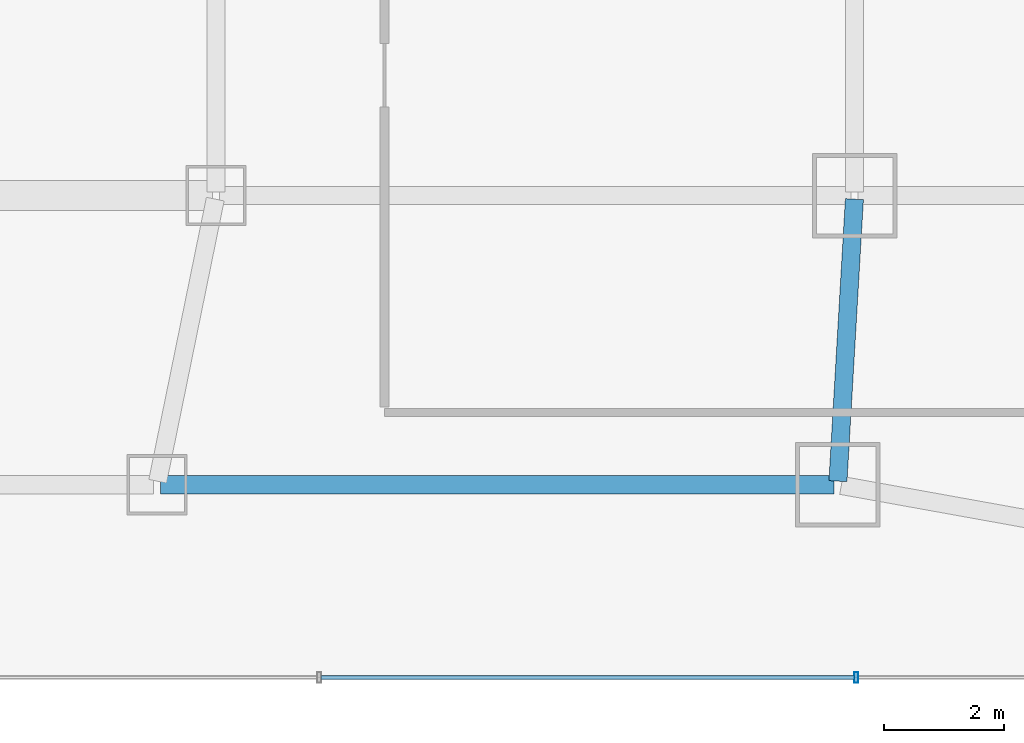
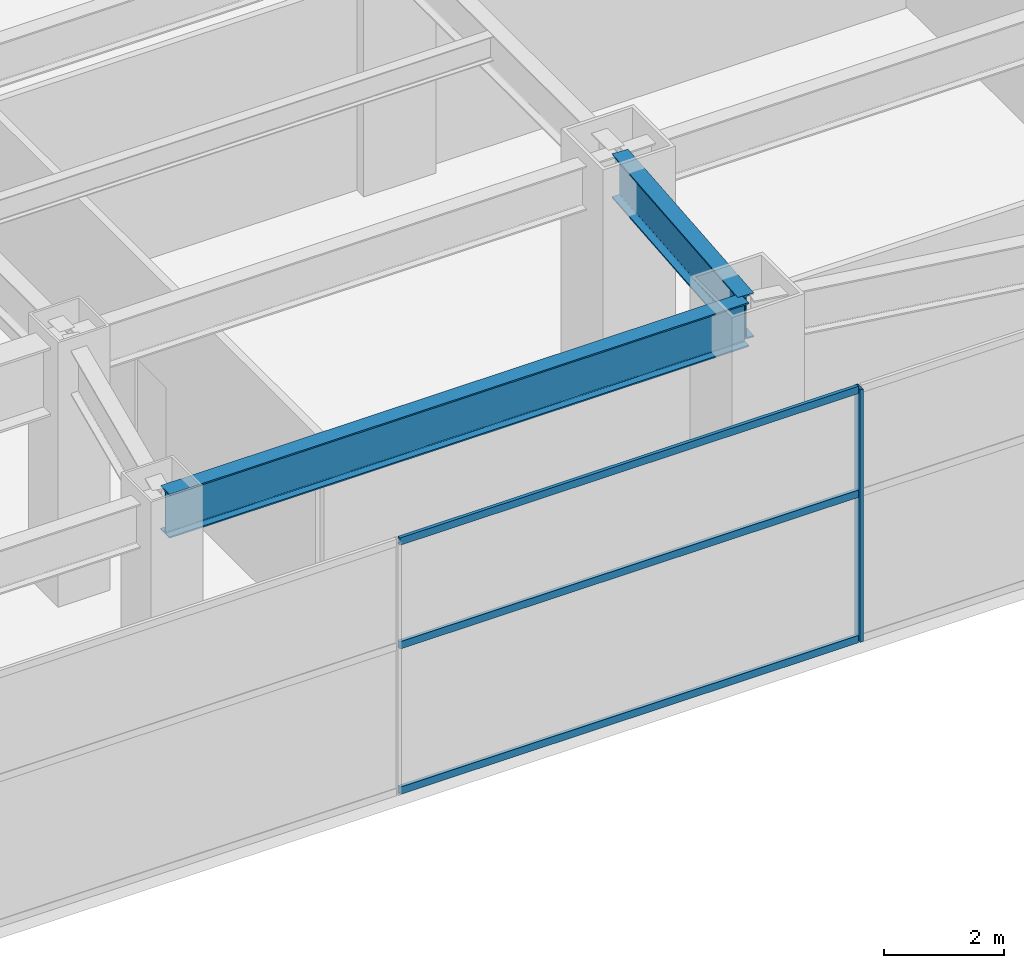
# One storey, part 15 of 53: 4 members, 2 beams, 1 element without a shape of its own.
"""IFC4 building model written with IfcOpenShell, lengths in metres."""

import ifcopenshell
import ifcopenshell.guid

model = None  # the IFC model being written
_history = None  # IfcOwnerHistory: only IFC2X3 demands one
_inside = {}  # id of a spatial element -> (the spatial element, [elements in it])
_under = {}  # id of a project, library or spatial element -> (it, [spatial elements below it])
_declared = {}  # id of a project -> (the project, [libraries it declares])
_typed = {}  # id of a type object -> (the type object, [elements of that type])
_made_of = {}  # id of a material, layer set ... -> (it, [elements and type objects made of it])


def new_model(schema):
    """Start an empty IFC model of exactly this schema.

    Asked for "IFC4X3", IfcOpenShell would pick the latest addendum, in which some entities
    have other attributes; the version numbers below select the first issue.
    IFC2X3 requires an IfcOwnerHistory on every rooted entity: one is made here for all.
    """
    global model, _history
    if schema == "IFC4X3":
        model = ifcopenshell.file(schema_version=(4, 3, 0, 0))
    else:
        model = ifcopenshell.file(schema=schema)
    _inside.clear()
    _under.clear()
    _declared.clear()
    _typed.clear()
    _made_of.clear()
    _history = None
    if model.schema == "IFC2X3":
        org = make("IfcOrganization", Name="unknown")
        user = make(
            "IfcPersonAndOrganization",
            ThePerson=make("IfcPerson", FamilyName="unknown"),
            TheOrganization=org,
        )
        app = make(
            "IfcApplication",
            ApplicationDeveloper=org,
            Version="unknown",
            ApplicationFullName="unknown",
            ApplicationIdentifier="unknown",
        )
        _history = make(
            "IfcOwnerHistory",
            OwningUser=user,
            OwningApplication=app,
            ChangeAction="ADDED",
            CreationDate=0,
        )
    return model


def make(cls, **values):
    """One entity of the class cls with the attributes given. An attribute that is None is left unset."""
    return model.create_entity(
        cls, **{name: value for name, value in values.items() if value is not None}
    )


def rooted(cls, **values):
    """An entity with a GlobalId (a new one), such as an element, a storey or a relation."""
    return make(cls, GlobalId=ifcopenshell.guid.new(), OwnerHistory=_history, **values)


def si_unit(unit_type, name, prefix=None):
    """IfcSIUnit, for example si_unit("LENGTHUNIT", "METRE", prefix="MILLI")."""
    return make("IfcSIUnit", UnitType=unit_type, Prefix=prefix, Name=name)


def assignment(units):
    """IfcUnitAssignment: the units of a project."""
    return None if units is None else make("IfcUnitAssignment", Units=units)


def point(xyz):
    """IfcCartesianPoint."""
    return None if xyz is None else make("IfcCartesianPoint", Coordinates=xyz)


def direction(xyz):
    """IfcDirection."""
    return None if xyz is None else make("IfcDirection", DirectionRatios=xyz)


def frame(location, z_axis=None, x_axis=None):
    """IfcAxis2Placement3D, a coordinate frame: its origin and axes. An axis left out is left unset."""
    return make(
        "IfcAxis2Placement3D",
        Location=point(location),
        Axis=direction(z_axis),
        RefDirection=direction(x_axis),
    )


def frame_2d(location, x_axis=None):
    """IfcAxis2Placement2D, a coordinate frame in the plane: its origin and x axis."""
    return make(
        "IfcAxis2Placement2D", Location=point(location), RefDirection=direction(x_axis)
    )


def origin():
    """The frame at (0, 0, 0) with its axes left unset."""
    return frame((0.0, 0.0, 0.0))


def origin_2d():
    """The frame at (0, 0) in the plane with its x axis left unset."""
    return frame_2d((0.0, 0.0))


def place(relative_to, where):
    """IfcLocalPlacement: puts the frame where relative to a parent placement (None: the world)."""
    return make(
        "IfcLocalPlacement", PlacementRelTo=relative_to, RelativePlacement=where
    )


def context(
    kind, dimensions, precision=None, world=None, true_north=None, identifier=None
):
    """IfcGeometricRepresentationContext, for example the 3D "Model" context."""
    return make(
        "IfcGeometricRepresentationContext",
        ContextIdentifier=identifier,
        ContextType=kind,
        CoordinateSpaceDimension=dimensions,
        Precision=precision,
        WorldCoordinateSystem=world,
        TrueNorth=true_north,
    )


def subcontext(parent, identifier, kind, view, scale=None):
    """IfcGeometricRepresentationSubContext, for example "Body" below "Model"."""
    return make(
        "IfcGeometricRepresentationSubContext",
        ContextIdentifier=identifier,
        ContextType=kind,
        ParentContext=parent,
        TargetScale=scale,
        TargetView=view,
    )


def project(units=None, contexts=None):
    """IfcProject with its units and contexts."""
    return rooted(
        "IfcProject",
        Name="project",
        RepresentationContexts=contexts,
        UnitsInContext=assignment(units),
    )


def spatial(cls, under=None, at=None, **own):
    """A site, building, storey or space (cls), placed at a placement, below another one or the project."""
    s = rooted(cls, ObjectPlacement=at, **own)
    if under is not None:
        _under.setdefault(under.id(), (under, []))[1].append(s)
    return s


def profile(cls, at=None, kind="AREA", **sizes):
    """A parametric profile (cls). Its sizes go by their IFC names, for example OverallWidth=200.0."""
    return make(cls, ProfileType=kind, Position=at, **sizes)


def hollow_rectangle(**sizes):
    """IfcRectangleHollowProfileDef."""
    return profile("IfcRectangleHollowProfileDef", **sizes)


def i_section(**sizes):
    """IfcIShapeProfileDef."""
    return profile("IfcIShapeProfileDef", **sizes)


def extrude(swept, where, along, depth):
    """IfcExtrudedAreaSolid: the profile swept, set in the frame where, extruded along a direction by depth."""
    return make(
        "IfcExtrudedAreaSolid",
        SweptArea=swept,
        Position=where,
        ExtrudedDirection=direction(along),
        Depth=depth,
    )


def shape(context_of_items, identifier, shape_type, items):
    """IfcShapeRepresentation: the items that make up one representation, for example the "Body"."""
    return make(
        "IfcShapeRepresentation",
        ContextOfItems=context_of_items,
        RepresentationIdentifier=identifier,
        RepresentationType=shape_type,
        Items=items,
    )


def material(Name=None, Category=None):
    """IfcMaterial."""
    return make("IfcMaterial", Name=Name, Category=Category)


def material_profile(
    of_material, cross_section, Name=None, Category=None, Priority=None
):
    """IfcMaterialProfile: a cross section and its material."""
    return make(
        "IfcMaterialProfile",
        Name=Name,
        Material=of_material,
        Profile=cross_section,
        Priority=Priority,
        Category=Category,
    )


def profile_set(profiles, Name=None, composite=None):
    """IfcMaterialProfileSet."""
    return make(
        "IfcMaterialProfileSet",
        Name=Name,
        MaterialProfiles=profiles,
        CompositeProfile=composite,
    )


def made_of(thing, what):
    """Note that an element or type object is made of a material, layer set ...; save() writes the relation."""
    if what is not None:
        _made_of.setdefault(what.id(), (what, []))[1].append(thing)
    return thing


def type_object(cls, material=None, **own):
    """A type object (cls), such as IfcWallType, which elements share."""
    return made_of(rooted(cls, **own), material)


def element(
    cls,
    number,
    at=None,
    inside=None,
    cuts=None,
    type_object=None,
    material=None,
    context=None,
    identifier="Body",
    shape_type=None,
    held_by="IfcProductDefinitionShape",
    body=None,
    shapes=None,
    **own,
):
    """One element of the class cls, such as IfcWall. Its Tag is "e" and its number.

    at: its placement. inside: the storey or other place that contains it. cuts: it is an
    opening in that element (IfcRelVoidsElement). A single representation is given by context,
    identifier, shape_type and body (its items); several are given by shapes. held_by: the class
    of the entity that holds the representations. save() writes the other relations.
    """
    e = rooted(cls, Tag="e%d" % number, ObjectPlacement=at, **own)
    if body is not None:
        shapes = [shape(context, identifier, shape_type, body)]
    if shapes is not None:
        e.Representation = make(held_by, Representations=shapes)
    if inside is not None:
        _inside.setdefault(inside.id(), (inside, []))[1].append(e)
    if cuts is not None:
        rooted(
            "IfcRelVoidsElement", RelatingBuildingElement=cuts, RelatedOpeningElement=e
        )
    if type_object is not None:
        _typed.setdefault(type_object.id(), (type_object, []))[1].append(e)
    return made_of(e, material)


def aggregate(whole, parts):
    """IfcRelAggregates: a whole, such as a stair, and the parts it consists of."""
    return rooted("IfcRelAggregates", RelatingObject=whole, RelatedObjects=parts)


def save(model, path):
    """Write the relations noted so far, then the file.

    IfcRelAggregates (storeys below a building ...), IfcRelContainedInSpatialStructure (elements
    in a storey), IfcRelDefinesByType, IfcRelAssociatesMaterial and IfcRelDeclares: one each for
    every whole, place, type object, material and project.
    """
    for whole, parts in _under.values():
        aggregate(whole, parts)
    for where, things in _inside.values():
        rooted(
            "IfcRelContainedInSpatialStructure",
            RelatedElements=things,
            RelatingStructure=where,
        )
    for kind, things in _typed.values():
        rooted("IfcRelDefinesByType", RelatedObjects=things, RelatingType=kind)
    for what, things in _made_of.values():
        rooted("IfcRelAssociatesMaterial", RelatedObjects=things, RelatingMaterial=what)
    for by, libraries in _declared.values():
        rooted("IfcRelDeclares", RelatingContext=by, RelatedDefinitions=libraries)
    model.write(path)


model = new_model("IFC4")

# Units and contexts
model_context = context("Model", 3, precision=1e-05, world=origin(), true_north=direction((0.0, 1.0)))
body_context = subcontext(model_context, "Body", "Model", "MODEL_VIEW")
ifc_project = project(units=[si_unit("LENGTHUNIT", "METRE"), si_unit("AREAUNIT", "SQUARE_METRE"), si_unit("VOLUMEUNIT", "CUBIC_METRE"), si_unit("PLANEANGLEUNIT", "RADIAN"), si_unit("MASSUNIT", "GRAM", prefix="KILO")], contexts=[model_context])

# Site, building, storey
site_placement = place(None, origin())
site = spatial("IfcSite", under=ifc_project, at=site_placement, CompositionType="ELEMENT")
building_placement = place(site_placement, origin())
building = spatial("IfcBuilding", under=site, at=building_placement, Name="Saevonmaru Cultural Tower", CompositionType="ELEMENT")
storey_placement = place(building_placement, frame((0.0, 0.0, 22.199951171875)))
storey = spatial("IfcBuildingStorey", under=building, at=storey_placement, Name="L04", CompositionType="ELEMENT", Elevation=22.199951171875)

# Beams
ifc_material_1 = material(Name="Steel SM420", Category="steel")
ifc_material_profile_1 = material_profile(ifc_material_1, i_section(OverallWidth=0.300048828125, OverallDepth=0.89990234375, WebThickness=0.01611328125, FlangeThickness=0.028076171875, FilletRadius=0.028076171875, at=origin_2d()), Name="H-900x300x16x28")
ifc_profile_set_1 = profile_set([ifc_material_profile_1], Name="Steel SM420")
beam_type = type_object("IfcBeamType", Name="BM-G-H900", PredefinedType="BEAM", material=ifc_profile_set_1)
beam_1_placement = place(storey_placement, frame((47.5234375, 3.260009765625, 4.699951171875), z_axis=(0.058221363278, 0.998303697708, 0.0), x_axis=(-0.998303697708, 0.058221363278, 0.0)))
element("IfcBeam", 1, at=beam_1_placement, inside=storey, type_object=beam_type, Name="L04 Podium Girder NS4-1", PredefinedType="BEAM", context=body_context, shape_type="SweptSolid", body=[
    extrude(i_section(OverallWidth=0.300048828125, OverallDepth=0.89990234375, WebThickness=0.01611328125, FlangeThickness=0.028076171875, FilletRadius=0.028076171875, at=origin_2d()), origin(), (0.0, 0.0, 1.0), 4.688232421875),
])
beam_2_placement = place(storey_placement, frame((36.280029296875, 3.199951171875, 4.699951171875), z_axis=(1.0, 0.0, 0.0), x_axis=(0.0, 1.0, 0.0)))
element("IfcBeam", 2, at=beam_2_placement, inside=storey, type_object=beam_type, Name="BM-POD-EW-E-0-L04", PredefinedType="BEAM", context=body_context, shape_type="SweptSolid", body=[
    extrude(i_section(OverallWidth=0.300048828125, OverallDepth=0.89990234375, WebThickness=0.01611328125, FlangeThickness=0.028076171875, FilletRadius=0.028076171875, at=origin_2d()), origin(), (0.0, 0.0, 1.0), 11.179931640625),
])

# Curtain wall, members
ifc_material_2 = material(Name="Satin Bronze Anodised Aluminium", Category="aluminium")
curtain_wall_type = type_object("IfcCurtainWallType", Name="CW-POD-GLZ", PredefinedType="NOTDEFINED", material=ifc_material_2)
curtain_wall_placement = place(storey_placement, origin())
curtain_wall = element("IfcCurtainWall", 3, at=curtain_wall_placement, inside=storey, type_object=curtain_wall_type, Name="L04 South Grand Foyer Curtain Wall", PredefinedType="NOTDEFINED")
ifc_material_profile_2 = material_profile(ifc_material_2, hollow_rectangle(XDim=0.06494140625, YDim=0.179931640625, WallThickness=0.00390625, at=origin_2d()), Name="ALU-MULL-180x65x4")
ifc_profile_set_2 = profile_set([ifc_material_profile_2], Name="Satin Bronze Anodised Aluminium")
member_type_1 = type_object("IfcMemberType", Name="ML-CW-180x65", PredefinedType="MULLION", material=ifc_profile_set_2)
member_1_placement = place(storey_placement, frame((47.82666015625, 0.0, 0.0), z_axis=(0.0, 0.0, 1.0), x_axis=(1.0, 0.0, 0.0)))
member_1 = element("IfcMember", 4, at=member_1_placement, type_object=member_type_1, Name="CW-POD-S-L04 mullion 6", PredefinedType="MULLION", context=body_context, shape_type="SweptSolid", body=[
    extrude(hollow_rectangle(XDim=0.06494140625, YDim=0.179931640625, WallThickness=0.00390625, at=origin_2d()), origin(), (0.0, 0.0, 1.0), 5.150146484375),
])
ifc_material_profile_3 = material_profile(ifc_material_2, hollow_rectangle(XDim=0.06494140625, YDim=0.14990234375, WallThickness=0.00390625, at=origin_2d()), Name="ALU-TRAN-150x65x4")
ifc_profile_set_3 = profile_set([ifc_material_profile_3], Name="Satin Bronze Anodised Aluminium")
member_type_2 = type_object("IfcMemberType", Name="TR-CW-150x65", PredefinedType="USERDEFINED", material=ifc_profile_set_3)
member_2_placement = place(storey_placement, frame((38.94580078125, 0.0, 0.032470703125), z_axis=(1.0, 0.0, 0.0), x_axis=(0.0, 1.0, 0.0)))
member_2 = element("IfcMember", 5, at=member_2_placement, type_object=member_type_2, Name="CW-POD-S-L04 transom 5.1", ObjectType="TRANSOM", PredefinedType="USERDEFINED", context=body_context, shape_type="SweptSolid", body=[
    extrude(hollow_rectangle(XDim=0.06494140625, YDim=0.14990234375, WallThickness=0.00390625, at=origin_2d()), origin(), (0.0, 0.0, 1.0), 8.848388671875),
])
member_3_placement = place(storey_placement, frame((38.94580078125, 0.0, 3.0), z_axis=(1.0, 0.0, 0.0), x_axis=(0.0, 1.0, 0.0)))
member_3 = element("IfcMember", 6, at=member_3_placement, type_object=member_type_2, Name="CW-POD-S-L04 transom 5.2", ObjectType="TRANSOM", PredefinedType="USERDEFINED", context=body_context, shape_type="SweptSolid", body=[
    extrude(hollow_rectangle(XDim=0.06494140625, YDim=0.14990234375, WallThickness=0.00390625, at=origin_2d()), origin(), (0.0, 0.0, 1.0), 8.848388671875),
])
member_4_placement = place(storey_placement, frame((38.94580078125, 0.0, 5.117431640625), z_axis=(1.0, 0.0, 0.0), x_axis=(0.0, 1.0, 0.0)))
member_4 = element("IfcMember", 7, at=member_4_placement, type_object=member_type_2, Name="CW-POD-S-L04 transom 5.3", ObjectType="TRANSOM", PredefinedType="USERDEFINED", context=body_context, shape_type="SweptSolid", body=[
    extrude(hollow_rectangle(XDim=0.06494140625, YDim=0.14990234375, WallThickness=0.00390625, at=origin_2d()), origin(), (0.0, 0.0, 1.0), 8.848388671875),
])
aggregate(curtain_wall, [member_1, member_2, member_3, member_4])

save(model, "model.ifc")
